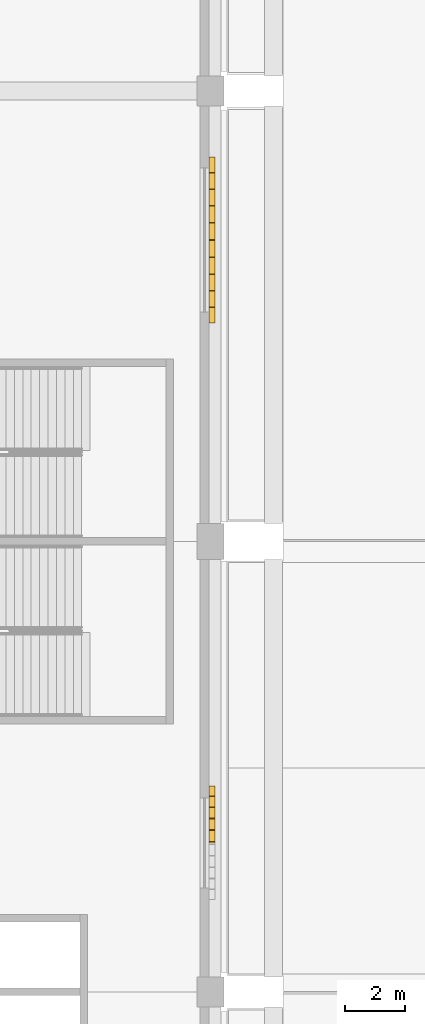
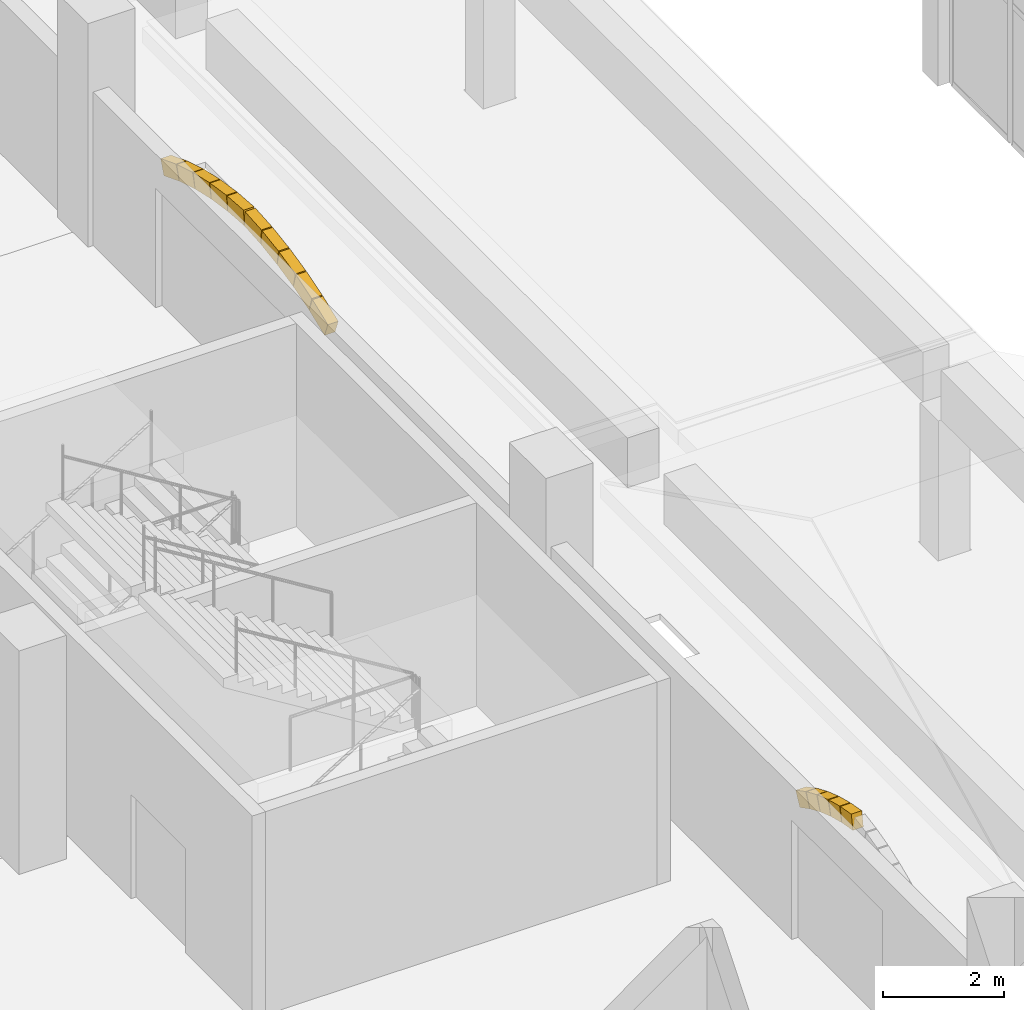
# One storey, part 172 of 175: 15 coverings.
"""IFC4 building model written with IfcOpenShell, lengths in metres."""

from ifc_helpers import new_model, si_unit, direction, frame, origin, origin_2d, place, context, subcontext, project, spatial, rectangle, extrude, material, material_profile, profile_set, type_object, element, save


model = new_model("IFC4")

# Units and contexts
model_context = context("Model", 3, precision=1e-05, world=origin(), true_north=direction((0.0, 1.0)))
body_context = subcontext(model_context, "Body", "Model", "MODEL_VIEW")
ifc_project = project(units=[si_unit("LENGTHUNIT", "METRE"), si_unit("AREAUNIT", "SQUARE_METRE"), si_unit("VOLUMEUNIT", "CUBIC_METRE"), si_unit("PLANEANGLEUNIT", "RADIAN"), si_unit("MASSUNIT", "GRAM", prefix="KILO")], contexts=[model_context])

# Site, building, storey
site_placement = place(None, origin())
site = spatial("IfcSite", under=ifc_project, at=site_placement, CompositionType="ELEMENT")
building_placement = place(site_placement, origin())
building = spatial("IfcBuilding", under=site, at=building_placement, Name="Ogive Plaza Stadium", CompositionType="ELEMENT")
storey_placement = place(building_placement, origin())
storey = spatial("IfcBuildingStorey", under=building, at=storey_placement, Name="L00", CompositionType="ELEMENT", Elevation=0.0)

# Coverings
ifc_material = material(Name="Cast stone (reconstituted limestone)", Category="masonry")
ifc_material_profile = material_profile(ifc_material, rectangle(XDim=0.199951171875, YDim=0.300048828125, at=origin_2d()), Name="Cast stone 200x300")
ifc_profile_set = profile_set([ifc_material_profile], Name="Cast stone (reconstituted limestone)")
covering_type = type_object("IfcCoveringType", Name="Portal arch rib 200x300", PredefinedType="MOLDING", material=ifc_profile_set)
covering_1_placement = place(storey_placement, frame((84.050048828125, 20.24169921875, 2.539794921875), z_axis=(0.0, -0.932339785038, 0.361583358627), x_axis=(1.0, 0.0, 0.0)))
element("IfcCovering", 1, at=covering_1_placement, inside=storey, type_object=covering_type, Name="PORTAL ARCH B03 1", PredefinedType="MOLDING", context=body_context, shape_type="SweptSolid", body=[
    extrude(rectangle(XDim=0.199951171875, YDim=0.300048828125, at=origin_2d()), origin(), (0.0, 0.0, 1.0), 0.546142578125),
])
covering_2_placement = place(storey_placement, frame((84.050048828125, 19.721923828125, 2.740966796875), z_axis=(0.0, -0.956375841274, 0.292139093972), x_axis=(1.0, 0.0, 0.0)))
element("IfcCovering", 2, at=covering_2_placement, inside=storey, type_object=covering_type, Name="PORTAL ARCH B03 2", PredefinedType="MOLDING", context=body_context, shape_type="SweptSolid", body=[
    extrude(rectangle(XDim=0.199951171875, YDim=0.300048828125, at=origin_2d()), origin(), (0.0, 0.0, 1.0), 0.546630859375),
])
covering_3_placement = place(storey_placement, frame((84.050048828125, 19.188720703125, 2.9033203125), z_axis=(0.0, -0.975242447538, 0.221138347014), x_axis=(1.0, 0.0, 0.0)))
element("IfcCovering", 3, at=covering_3_placement, inside=storey, type_object=covering_type, Name="PORTAL ARCH B03 3", PredefinedType="MOLDING", context=body_context, shape_type="SweptSolid", body=[
    extrude(rectangle(XDim=0.199951171875, YDim=0.300048828125, at=origin_2d()), origin(), (0.0, 0.0, 1.0), 0.54638671875),
])
covering_4_placement = place(storey_placement, frame((84.050048828125, 18.64501953125, 3.026123046875), z_axis=(0.0, -0.988942904622, 0.148296767992), x_axis=(1.0, 0.0, 0.0)))
element("IfcCovering", 4, at=covering_4_placement, inside=storey, type_object=covering_type, Name="PORTAL ARCH B03 4", PredefinedType="MOLDING", context=body_context, shape_type="SweptSolid", body=[
    extrude(rectangle(XDim=0.199951171875, YDim=0.300048828125, at=origin_2d()), origin(), (0.0, 0.0, 1.0), 0.546630859375),
])
for number, where, z_axis, x_axis, name in (
    (5, (84.050048828125, 18.093505859375, 3.1083984375), (0.0, -0.997143198104, 0.075534379417), (1.0, 0.0, 0.0), "PORTAL ARCH B03 5"),
    (6, (84.050048828125, 17.526123046875, 3.149658203125), (0.0, -0.997143198104, -0.075534379417), (1.0, 0.0, 0.0), "PORTAL ARCH B03 6"),
):
    element("IfcCovering", number, at=place(storey_placement, frame(where, z_axis=z_axis, x_axis=x_axis)), inside=storey, type_object=covering_type, Name=name, PredefinedType="MOLDING", context=body_context, shape_type="SweptSolid", body=[
        extrude(rectangle(XDim=0.199951171875, YDim=0.300048828125, at=origin_2d()), origin(), (0.0, 0.0, 1.0), 0.546142578125),
    ])
for number, where, z_axis, x_axis, name in (
    (7, (84.050048828125, 16.970458984375, 3.107177734375), (0.0, -0.988933074819, -0.148362304944), (1.0, 0.0, 0.0), "PORTAL ARCH B03 7"),
    (8, (84.050048828125, 16.419189453125, 3.024169921875), (0.0, -0.975242447538, -0.221138347014), (1.0, 0.0, 0.0), "PORTAL ARCH B03 8"),
):
    element("IfcCovering", number, at=place(storey_placement, frame(where, z_axis=z_axis, x_axis=x_axis)), inside=storey, type_object=covering_type, Name=name, PredefinedType="MOLDING", context=body_context, shape_type="SweptSolid", body=[
        extrude(rectangle(XDim=0.199951171875, YDim=0.300048828125, at=origin_2d()), origin(), (0.0, 0.0, 1.0), 0.54638671875),
    ])
covering_5_placement = place(storey_placement, frame((84.050048828125, 15.875732421875, 2.900634765625), z_axis=(0.0, -0.956375841274, -0.292139093972), x_axis=(1.0, 0.0, 0.0)))
element("IfcCovering", 9, at=covering_5_placement, inside=storey, type_object=covering_type, Name="PORTAL ARCH B03 9", PredefinedType="MOLDING", context=body_context, shape_type="SweptSolid", body=[
    extrude(rectangle(XDim=0.199951171875, YDim=0.300048828125, at=origin_2d()), origin(), (0.0, 0.0, 1.0), 0.546630859375),
])
covering_6_placement = place(storey_placement, frame((84.050048828125, 15.3427734375, 2.7373046875), z_axis=(0.0, -0.932398184034, -0.361432741199), x_axis=(1.0, 0.0, 0.0)))
element("IfcCovering", 10, at=covering_6_placement, inside=storey, type_object=covering_type, Name="PORTAL ARCH B03 10", PredefinedType="MOLDING", context=body_context, shape_type="SweptSolid", body=[
    extrude(rectangle(XDim=0.199951171875, YDim=0.300048828125, at=origin_2d()), origin(), (0.0, 0.0, 1.0), 0.54638671875),
])
covering_7_placement = place(storey_placement, frame((84.050048828125, -0.718017578125, 2.532958984375), z_axis=(0.0, -0.885870063545, 0.463933433279), x_axis=(1.0, 0.0, 0.0)))
element("IfcCovering", 11, at=covering_7_placement, inside=storey, type_object=covering_type, Name="PORTAL ARCH B04 1", PredefinedType="MOLDING", context=body_context, shape_type="SweptSolid", body=[
    extrude(rectangle(XDim=0.199951171875, YDim=0.300048828125, at=origin_2d()), origin(), (0.0, 0.0, 1.0), 0.3720703125),
])
covering_8_placement = place(storey_placement, frame((84.050048828125, -1.057861328125, 2.71044921875), z_axis=(0.0, -0.918771491846, 0.394789748816), x_axis=(1.0, 0.0, 0.0)))
element("IfcCovering", 12, at=covering_8_placement, inside=storey, type_object=covering_type, Name="PORTAL ARCH B04 2", PredefinedType="MOLDING", context=body_context, shape_type="SweptSolid", body=[
    extrude(rectangle(XDim=0.199951171875, YDim=0.300048828125, at=origin_2d()), origin(), (0.0, 0.0, 1.0), 0.372314453125),
])
for number, where, z_axis, x_axis, name in (
    (13, (84.050048828125, -1.410400390625, 2.861572265625), (0.0, -0.946026425691, 0.324089496735), (1.0, 0.0, 0.0), "PORTAL ARCH B04 3"),
    (14, (84.050048828125, -1.7734375, 2.985595703125), (0.0, -0.96790236306, 0.2513265119), (1.0, 0.0, 0.0), "PORTAL ARCH B04 4"),
):
    element("IfcCovering", number, at=place(storey_placement, frame(where, z_axis=z_axis, x_axis=x_axis)), inside=storey, type_object=covering_type, Name=name, PredefinedType="MOLDING", context=body_context, shape_type="SweptSolid", body=[
        extrude(rectangle(XDim=0.199951171875, YDim=0.300048828125, at=origin_2d()), origin(), (0.0, 0.0, 1.0), 0.3720703125),
    ])
covering_9_placement = place(storey_placement, frame((84.050048828125, -2.14453125, 3.08154296875), z_axis=(0.0, -0.984089453269, 0.177673712083), x_axis=(1.0, 0.0, 0.0)))
element("IfcCovering", 15, at=covering_9_placement, inside=storey, type_object=covering_type, Name="PORTAL ARCH B04 5", PredefinedType="MOLDING", context=body_context, shape_type="SweptSolid", body=[
    extrude(rectangle(XDim=0.199951171875, YDim=0.300048828125, at=origin_2d()), origin(), (0.0, 0.0, 1.0), 0.372314453125),
])

save(model, "model.ifc")
